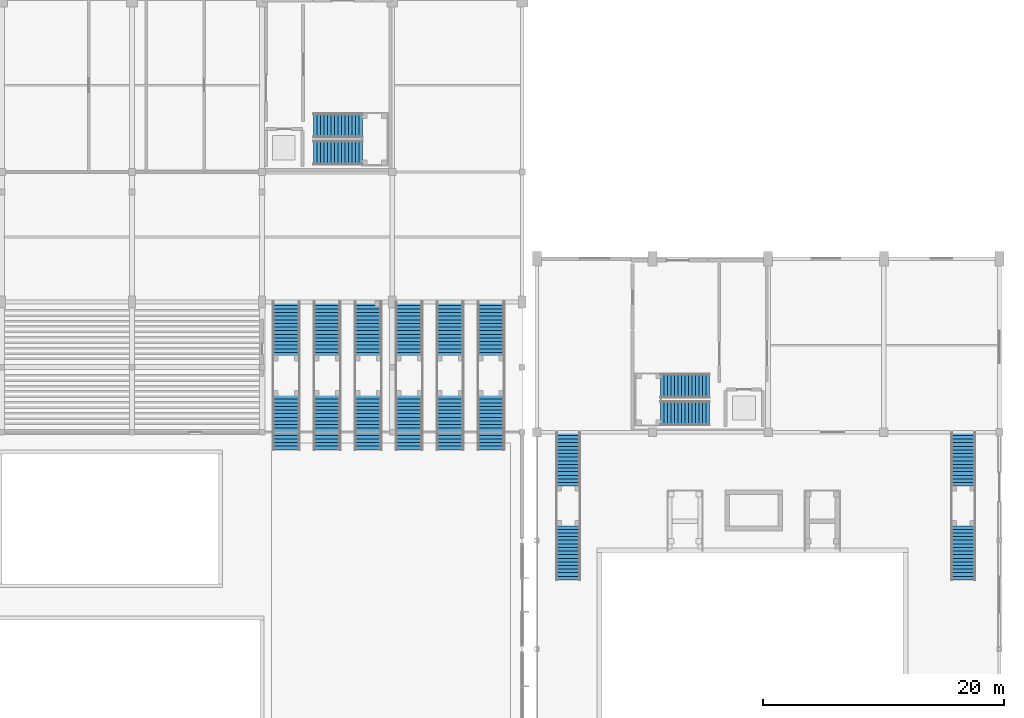
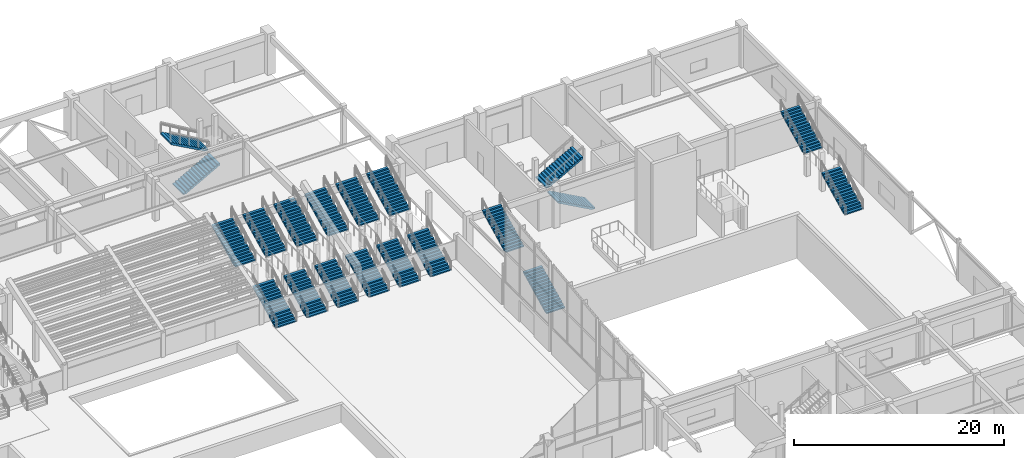
# One storey, part 62 of 82: 20 stair flights, 10 elements without a shape of their own.
"""IFC4 building model written with IfcOpenShell, lengths in metres."""

from ifc_helpers import new_model, si_unit, direction, frame, origin, place, context, subcontext, project, spatial, polyline, outline, extrude, material, type_object, element, aggregate, save


model = new_model("IFC4")

# Units and contexts
model_context = context("Model", 3, precision=1e-05, world=origin(), true_north=direction((0.0, 1.0)))
body_context = subcontext(model_context, "Body", "Model", "MODEL_VIEW")
ifc_project = project(units=[si_unit("LENGTHUNIT", "METRE"), si_unit("AREAUNIT", "SQUARE_METRE"), si_unit("VOLUMEUNIT", "CUBIC_METRE"), si_unit("PLANEANGLEUNIT", "RADIAN"), si_unit("MASSUNIT", "GRAM", prefix="KILO")], contexts=[model_context])

# Site, building, storey
site_placement = place(None, origin())
site = spatial("IfcSite", under=ifc_project, at=site_placement, CompositionType="ELEMENT")
building_placement = place(site_placement, origin())
building = spatial("IfcBuilding", under=site, at=building_placement, Name="Suirenkawa Promenade Aquatics Centre", CompositionType="ELEMENT")
storey_placement = place(building_placement, origin())
storey = spatial("IfcBuildingStorey", under=building, at=storey_placement, Name="L00", CompositionType="ELEMENT", Elevation=0.0)

# Stair, stair flights
ifc_material = material(Name="Concrete M40", Category="concrete")
stair_type_1 = type_object("IfcStairType", Name="STT-DIVE-2000", PredefinedType="STRAIGHT_RUN_STAIR", material=ifc_material)
stair_1_placement = place(storey_placement, origin())
stair_1 = element("IfcStair", 1, at=stair_1_placement, inside=storey, type_object=stair_type_1, Name="Grand assembly cascade stair STR-06 ST-34", PredefinedType="STRAIGHT_RUN_STAIR")
stair_flight_type_1 = type_object("IfcStairFlightType", Name="SFT-FLIGHT-2000", PredefinedType="STRAIGHT", material=ifc_material)
stair_flight_1_placement = place(storey_placement, frame((158.60009765625, 74.1298828125, 0.0), z_axis=(0.0, 0.0, 1.0), x_axis=(0.0, 1.0, 0.0)))
stair_flight_1 = element("IfcStairFlight", 2, at=stair_flight_1_placement, type_object=stair_flight_type_1, Name="Cascade flight SFL-05 FL-067", NumberOfRisers=16, NumberOfTreads=15, PredefinedType="STRAIGHT", RiserHeight=0.15, TreadLength=0.3, context=body_context, shape_type="SweptSolid", body=[
    extrude(outline(polyline([(0.0, 0.0), (0.0, 0.14990234375), (0.300048828125, 0.14990234375), (0.300048828125, 0.300048828125), (0.60009765625, 0.300048828125), (0.60009765625, 0.449951171875), (0.89990234375, 0.449951171875), (0.89990234375, 0.60009765625), (1.199951171875, 0.60009765625), (1.199951171875, 0.75), (1.5, 0.75), (1.5, 0.89990234375), (1.800048828125, 0.89990234375), (1.800048828125, 1.050048828125), (2.10009765625, 1.050048828125), (2.10009765625, 1.199951171875), (2.39990234375, 1.199951171875), (2.39990234375, 1.35009765625), (2.699951171875, 1.35009765625), (2.699951171875, 1.5), (3.0, 1.5), (3.0, 1.64990234375), (3.300048828125, 1.64990234375), (3.300048828125, 1.800048828125), (3.60009765625, 1.800048828125), (3.60009765625, 1.949951171875), (3.89990234375, 1.949951171875), (3.89990234375, 2.10009765625), (4.199951171875, 2.10009765625), (4.199951171875, 2.25), (4.5, 2.25), (4.5, 2.39990234375), (4.5, 2.06005859375), (0.3798828125, 0.0), (0.0, 0.0)])), frame((0.0, 1.010009765625, 0.0), z_axis=(0.0, -1.0, 0.0), x_axis=(1.0, 0.0, 0.0)), (0.0, 0.0, 1.0), 2.02001953125),
])
stair_flight_2_placement = place(storey_placement, frame((158.60009765625, 81.919921875, 2.39990234375), z_axis=(0.0, 0.0, 1.0), x_axis=(0.0, 1.0, 0.0)))
stair_flight_2 = element("IfcStairFlight", 3, at=stair_flight_2_placement, type_object=stair_flight_type_1, Name="Cascade flight SFL-05 FL-068", NumberOfRisers=16, NumberOfTreads=15, PredefinedType="STRAIGHT", RiserHeight=0.15, TreadLength=0.3, context=body_context, shape_type="SweptSolid", body=[
    extrude(outline(polyline([(0.0, 0.0), (0.0, 0.14990234375), (0.300048828125, 0.14990234375), (0.300048828125, 0.300048828125), (0.60009765625, 0.300048828125), (0.60009765625, 0.449951171875), (0.89990234375, 0.449951171875), (0.89990234375, 0.60009765625), (1.199951171875, 0.60009765625), (1.199951171875, 0.75), (1.5, 0.75), (1.5, 0.89990234375), (1.800048828125, 0.89990234375), (1.800048828125, 1.050048828125), (2.10009765625, 1.050048828125), (2.10009765625, 1.199951171875), (2.39990234375, 1.199951171875), (2.39990234375, 1.35009765625), (2.699951171875, 1.35009765625), (2.699951171875, 1.5), (3.0, 1.5), (3.0, 1.64990234375), (3.300048828125, 1.64990234375), (3.300048828125, 1.800048828125), (3.60009765625, 1.800048828125), (3.60009765625, 1.949951171875), (3.89990234375, 1.949951171875), (3.89990234375, 2.10009765625), (4.199951171875, 2.10009765625), (4.199951171875, 2.25), (4.5, 2.25), (4.5, 2.39990234375), (4.5, 2.06005859375), (0.3798828125, 0.0), (0.0, 0.0)])), frame((0.0, 1.010009765625, 0.0), z_axis=(0.0, -1.0, 0.0), x_axis=(1.0, 0.0, 0.0)), (0.0, 0.0, 1.0), 2.02001953125),
])
aggregate(stair_1, [stair_flight_1, stair_flight_2])

stair_2_placement = place(storey_placement, origin())
stair_2 = element("IfcStair", 4, at=stair_2_placement, inside=storey, type_object=stair_type_1, Name="Grand assembly cascade stair STR-06 ST-35", PredefinedType="STRAIGHT_RUN_STAIR")
stair_flight_3_placement = place(storey_placement, frame((191.39990234375, 74.1298828125, 0.0), z_axis=(0.0, 0.0, 1.0), x_axis=(0.0, 1.0, 0.0)))
stair_flight_3 = element("IfcStairFlight", 5, at=stair_flight_3_placement, type_object=stair_flight_type_1, Name="Cascade flight SFL-05 FL-069", NumberOfRisers=16, NumberOfTreads=15, PredefinedType="STRAIGHT", RiserHeight=0.15, TreadLength=0.3, context=body_context, shape_type="SweptSolid", body=[
    extrude(outline(polyline([(0.0, 0.0), (0.0, 0.14990234375), (0.300048828125, 0.14990234375), (0.300048828125, 0.300048828125), (0.60009765625, 0.300048828125), (0.60009765625, 0.449951171875), (0.89990234375, 0.449951171875), (0.89990234375, 0.60009765625), (1.199951171875, 0.60009765625), (1.199951171875, 0.75), (1.5, 0.75), (1.5, 0.89990234375), (1.800048828125, 0.89990234375), (1.800048828125, 1.050048828125), (2.10009765625, 1.050048828125), (2.10009765625, 1.199951171875), (2.39990234375, 1.199951171875), (2.39990234375, 1.35009765625), (2.699951171875, 1.35009765625), (2.699951171875, 1.5), (3.0, 1.5), (3.0, 1.64990234375), (3.300048828125, 1.64990234375), (3.300048828125, 1.800048828125), (3.60009765625, 1.800048828125), (3.60009765625, 1.949951171875), (3.89990234375, 1.949951171875), (3.89990234375, 2.10009765625), (4.199951171875, 2.10009765625), (4.199951171875, 2.25), (4.5, 2.25), (4.5, 2.39990234375), (4.5, 2.06005859375), (0.3798828125, 0.0), (0.0, 0.0)])), frame((0.0, 1.010009765625, 0.0), z_axis=(0.0, -1.0, 0.0), x_axis=(1.0, 0.0, 0.0)), (0.0, 0.0, 1.0), 2.02001953125),
])
stair_flight_4_placement = place(storey_placement, frame((191.39990234375, 81.919921875, 2.39990234375), z_axis=(0.0, 0.0, 1.0), x_axis=(0.0, 1.0, 0.0)))
stair_flight_4 = element("IfcStairFlight", 6, at=stair_flight_4_placement, type_object=stair_flight_type_1, Name="Cascade flight SFL-05 FL-070", NumberOfRisers=16, NumberOfTreads=15, PredefinedType="STRAIGHT", RiserHeight=0.15, TreadLength=0.3, context=body_context, shape_type="SweptSolid", body=[
    extrude(outline(polyline([(0.0, 0.0), (0.0, 0.14990234375), (0.300048828125, 0.14990234375), (0.300048828125, 0.300048828125), (0.60009765625, 0.300048828125), (0.60009765625, 0.449951171875), (0.89990234375, 0.449951171875), (0.89990234375, 0.60009765625), (1.199951171875, 0.60009765625), (1.199951171875, 0.75), (1.5, 0.75), (1.5, 0.89990234375), (1.800048828125, 0.89990234375), (1.800048828125, 1.050048828125), (2.10009765625, 1.050048828125), (2.10009765625, 1.199951171875), (2.39990234375, 1.199951171875), (2.39990234375, 1.35009765625), (2.699951171875, 1.35009765625), (2.699951171875, 1.5), (3.0, 1.5), (3.0, 1.64990234375), (3.300048828125, 1.64990234375), (3.300048828125, 1.800048828125), (3.60009765625, 1.800048828125), (3.60009765625, 1.949951171875), (3.89990234375, 1.949951171875), (3.89990234375, 2.10009765625), (4.199951171875, 2.10009765625), (4.199951171875, 2.25), (4.5, 2.25), (4.5, 2.39990234375), (4.5, 2.06005859375), (0.3798828125, 0.0), (0.0, 0.0)])), frame((0.0, 1.010009765625, 0.0), z_axis=(0.0, -1.0, 0.0), x_axis=(1.0, 0.0, 0.0)), (0.0, 0.0, 1.0), 2.02001953125),
])
aggregate(stair_2, [stair_flight_3, stair_flight_4])

stair_type_2 = type_object("IfcStairType", Name="STT-CORE-2100-480", PredefinedType="TWO_STRAIGHT_RUN_STAIR", material=ifc_material)
stair_3_placement = place(storey_placement, origin())
stair_3 = element("IfcStair", 7, at=stair_3_placement, inside=storey, type_object=stair_type_2, Name="Protected exit stair STR-01 ST-14", PredefinedType="TWO_STRAIGHT_RUN_STAIR")
stair_flight_type_2 = type_object("IfcStairFlightType", Name="SFT-FLIGHT-2100", PredefinedType="STRAIGHT", material=ifc_material)
stair_flight_5_placement = place(storey_placement, frame((137.485107421875, 109.580078125, 0.0), z_axis=(0.0, 0.0, 1.0), x_axis=(1.0, 0.0, 0.0)))
stair_flight_5 = element("IfcStairFlight", 8, at=stair_flight_5_placement, type_object=stair_flight_type_2, Name="Stair flight SFL-01 FL-027", NumberOfRisers=15, NumberOfTreads=14, PredefinedType="STRAIGHT", RiserHeight=0.16, TreadLength=0.29, context=body_context, shape_type="SweptSolid", body=[
    extrude(outline(polyline([(0.0, 0.0), (0.0, 0.159912109375), (0.2900390625, 0.159912109375), (0.2900390625, 0.320068359375), (0.580078125, 0.320068359375), (0.580078125, 0.47998046875), (0.8701171875, 0.47998046875), (0.8701171875, 0.639892578125), (1.159912109375, 0.639892578125), (1.159912109375, 0.800048828125), (1.449951171875, 0.800048828125), (1.449951171875, 0.9599609375), (1.739990234375, 0.9599609375), (1.739990234375, 1.1201171875), (2.030029296875, 1.1201171875), (2.030029296875, 1.280029296875), (2.320068359375, 1.280029296875), (2.320068359375, 1.43994140625), (2.610107421875, 1.43994140625), (2.610107421875, 1.60009765625), (2.89990234375, 1.60009765625), (2.89990234375, 1.760009765625), (3.18994140625, 1.760009765625), (3.18994140625, 1.919921875), (3.47998046875, 1.919921875), (3.47998046875, 2.080078125), (3.77001953125, 2.080078125), (3.77001953125, 2.239990234375), (4.06005859375, 2.239990234375), (4.06005859375, 2.39990234375), (4.06005859375, 2.0458984375), (0.351806640625, 0.0), (0.0, 0.0)])), frame((0.0, 1.010009765625, 0.0), z_axis=(0.0, -1.0, 0.0), x_axis=(1.0, 0.0, 0.0)), (0.0, 0.0, 1.0), 2.02001953125),
])
stair_flight_6_placement = place(storey_placement, frame((141.544921875, 111.85009765625, 2.39990234375), z_axis=(0.0, 0.0, 1.0), x_axis=(-1.0, 0.0, 0.0)))
stair_flight_6 = element("IfcStairFlight", 9, at=stair_flight_6_placement, type_object=stair_flight_type_2, Name="Stair flight SFL-01 FL-028", NumberOfRisers=15, NumberOfTreads=14, PredefinedType="STRAIGHT", RiserHeight=0.16, TreadLength=0.29, context=body_context, shape_type="SweptSolid", body=[
    extrude(outline(polyline([(0.0, 0.0), (0.0, 0.159912109375), (0.2900390625, 0.159912109375), (0.2900390625, 0.320068359375), (0.580078125, 0.320068359375), (0.580078125, 0.47998046875), (0.8701171875, 0.47998046875), (0.8701171875, 0.639892578125), (1.159912109375, 0.639892578125), (1.159912109375, 0.800048828125), (1.449951171875, 0.800048828125), (1.449951171875, 0.9599609375), (1.739990234375, 0.9599609375), (1.739990234375, 1.1201171875), (2.030029296875, 1.1201171875), (2.030029296875, 1.280029296875), (2.320068359375, 1.280029296875), (2.320068359375, 1.43994140625), (2.610107421875, 1.43994140625), (2.610107421875, 1.60009765625), (2.89990234375, 1.60009765625), (2.89990234375, 1.760009765625), (3.18994140625, 1.760009765625), (3.18994140625, 1.919921875), (3.47998046875, 1.919921875), (3.47998046875, 2.080078125), (3.77001953125, 2.080078125), (3.77001953125, 2.239990234375), (4.06005859375, 2.239990234375), (4.06005859375, 2.39990234375), (4.06005859375, 2.0458984375), (0.351806640625, 0.0), (0.0, 0.0)])), frame((0.0, 1.010009765625, 0.0), z_axis=(0.0, -1.0, 0.0), x_axis=(1.0, 0.0, 0.0)), (0.0, 0.0, 1.0), 2.02001953125),
])
aggregate(stair_3, [stair_flight_5, stair_flight_6])

stair_4_placement = place(storey_placement, origin())
stair_4 = element("IfcStair", 10, at=stair_4_placement, inside=storey, type_object=stair_type_2, Name="Protected exit stair STR-01 ST-16", PredefinedType="TWO_STRAIGHT_RUN_STAIR")
stair_flight_7_placement = place(storey_placement, frame((170.31494140625, 87.97998046875, 0.0), z_axis=(0.0, 0.0, 1.0), x_axis=(-1.0, 0.0, 0.0)))
stair_flight_7 = element("IfcStairFlight", 11, at=stair_flight_7_placement, type_object=stair_flight_type_2, Name="Stair flight SFL-01 FL-031", NumberOfRisers=15, NumberOfTreads=14, PredefinedType="STRAIGHT", RiserHeight=0.16, TreadLength=0.29, context=body_context, shape_type="SweptSolid", body=[
    extrude(outline(polyline([(0.0, 0.0), (0.0, 0.159912109375), (0.2900390625, 0.159912109375), (0.2900390625, 0.320068359375), (0.580078125, 0.320068359375), (0.580078125, 0.47998046875), (0.8701171875, 0.47998046875), (0.8701171875, 0.639892578125), (1.159912109375, 0.639892578125), (1.159912109375, 0.800048828125), (1.449951171875, 0.800048828125), (1.449951171875, 0.9599609375), (1.739990234375, 0.9599609375), (1.739990234375, 1.1201171875), (2.030029296875, 1.1201171875), (2.030029296875, 1.280029296875), (2.320068359375, 1.280029296875), (2.320068359375, 1.43994140625), (2.610107421875, 1.43994140625), (2.610107421875, 1.60009765625), (2.89990234375, 1.60009765625), (2.89990234375, 1.760009765625), (3.18994140625, 1.760009765625), (3.18994140625, 1.919921875), (3.47998046875, 1.919921875), (3.47998046875, 2.080078125), (3.77001953125, 2.080078125), (3.77001953125, 2.239990234375), (4.06005859375, 2.239990234375), (4.06005859375, 2.39990234375), (4.06005859375, 2.0458984375), (0.351806640625, 0.0), (0.0, 0.0)])), frame((0.0, 1.010009765625, 0.0), z_axis=(0.0, -1.0, 0.0), x_axis=(1.0, 0.0, 0.0)), (0.0, 0.0, 1.0), 2.02001953125),
])
stair_flight_8_placement = place(storey_placement, frame((166.2548828125, 90.25, 2.39990234375), z_axis=(0.0, 0.0, 1.0), x_axis=(1.0, 0.0, 0.0)))
stair_flight_8 = element("IfcStairFlight", 12, at=stair_flight_8_placement, type_object=stair_flight_type_2, Name="Stair flight SFL-01 FL-032", NumberOfRisers=15, NumberOfTreads=14, PredefinedType="STRAIGHT", RiserHeight=0.16, TreadLength=0.29, context=body_context, shape_type="SweptSolid", body=[
    extrude(outline(polyline([(0.0, 0.0), (0.0, 0.159912109375), (0.2900390625, 0.159912109375), (0.2900390625, 0.320068359375), (0.580078125, 0.320068359375), (0.580078125, 0.47998046875), (0.8701171875, 0.47998046875), (0.8701171875, 0.639892578125), (1.159912109375, 0.639892578125), (1.159912109375, 0.800048828125), (1.449951171875, 0.800048828125), (1.449951171875, 0.9599609375), (1.739990234375, 0.9599609375), (1.739990234375, 1.1201171875), (2.030029296875, 1.1201171875), (2.030029296875, 1.280029296875), (2.320068359375, 1.280029296875), (2.320068359375, 1.43994140625), (2.610107421875, 1.43994140625), (2.610107421875, 1.60009765625), (2.89990234375, 1.60009765625), (2.89990234375, 1.760009765625), (3.18994140625, 1.760009765625), (3.18994140625, 1.919921875), (3.47998046875, 1.919921875), (3.47998046875, 2.080078125), (3.77001953125, 2.080078125), (3.77001953125, 2.239990234375), (4.06005859375, 2.239990234375), (4.06005859375, 2.39990234375), (4.06005859375, 2.0458984375), (0.351806640625, 0.0), (0.0, 0.0)])), frame((0.0, 1.010009765625, 0.0), z_axis=(0.0, -1.0, 0.0), x_axis=(1.0, 0.0, 0.0)), (0.0, 0.0, 1.0), 2.02001953125),
])
aggregate(stair_4, [stair_flight_7, stair_flight_8])

stair_type_3 = type_object("IfcStairType", Name="STT-CASCADE-3200", PredefinedType="STRAIGHT_RUN_STAIR", material=ifc_material)
stair_5_placement = place(storey_placement, origin())
stair_5 = element("IfcStair", 13, at=stair_5_placement, inside=storey, type_object=stair_type_3, Name="Grand assembly cascade stair STR-04 ST-26", PredefinedType="STRAIGHT_RUN_STAIR")
stair_flight_type_3 = type_object("IfcStairFlightType", Name="SFT-FLIGHT-3200", PredefinedType="STRAIGHT", material=ifc_material)
stair_flight_9_placement = place(storey_placement, frame((135.199951171875, 84.929931640625, 0.0), z_axis=(0.0, 0.0, 1.0), x_axis=(0.0, 1.0, 0.0)))
stair_flight_9 = element("IfcStairFlight", 14, at=stair_flight_9_placement, type_object=stair_flight_type_3, Name="Cascade flight SFL-03 FL-051", NumberOfRisers=16, NumberOfTreads=15, PredefinedType="STRAIGHT", RiserHeight=0.15, TreadLength=0.3, context=body_context, shape_type="SweptSolid", body=[
    extrude(outline(polyline([(0.0, 0.0), (0.0, 0.14990234375), (0.300048828125, 0.14990234375), (0.300048828125, 0.300048828125), (0.60009765625, 0.300048828125), (0.60009765625, 0.449951171875), (0.89990234375, 0.449951171875), (0.89990234375, 0.60009765625), (1.199951171875, 0.60009765625), (1.199951171875, 0.75), (1.5, 0.75), (1.5, 0.89990234375), (1.800048828125, 0.89990234375), (1.800048828125, 1.050048828125), (2.10009765625, 1.050048828125), (2.10009765625, 1.199951171875), (2.39990234375, 1.199951171875), (2.39990234375, 1.35009765625), (2.699951171875, 1.35009765625), (2.699951171875, 1.5), (3.0, 1.5), (3.0, 1.64990234375), (3.300048828125, 1.64990234375), (3.300048828125, 1.800048828125), (3.60009765625, 1.800048828125), (3.60009765625, 1.949951171875), (3.89990234375, 1.949951171875), (3.89990234375, 2.10009765625), (4.199951171875, 2.10009765625), (4.199951171875, 2.25), (4.5, 2.25), (4.5, 2.39990234375), (4.5, 2.06005859375), (0.3798828125, 0.0), (0.0, 0.0)])), frame((0.0, 1.125, 0.0), z_axis=(0.0, -1.0, 0.0), x_axis=(1.0, 0.0, 0.0)), (0.0, 0.0, 1.0), 2.25),
])
stair_flight_10_placement = place(storey_placement, frame((135.199951171875, 92.719970703125, 2.39990234375), z_axis=(0.0, 0.0, 1.0), x_axis=(0.0, 1.0, 0.0)))
stair_flight_10 = element("IfcStairFlight", 15, at=stair_flight_10_placement, type_object=stair_flight_type_3, Name="Cascade flight SFL-03 FL-052", NumberOfRisers=16, NumberOfTreads=15, PredefinedType="STRAIGHT", RiserHeight=0.15, TreadLength=0.3, context=body_context, shape_type="SweptSolid", body=[
    extrude(outline(polyline([(0.0, 0.0), (0.0, 0.14990234375), (0.300048828125, 0.14990234375), (0.300048828125, 0.300048828125), (0.60009765625, 0.300048828125), (0.60009765625, 0.449951171875), (0.89990234375, 0.449951171875), (0.89990234375, 0.60009765625), (1.199951171875, 0.60009765625), (1.199951171875, 0.75), (1.5, 0.75), (1.5, 0.89990234375), (1.800048828125, 0.89990234375), (1.800048828125, 1.050048828125), (2.10009765625, 1.050048828125), (2.10009765625, 1.199951171875), (2.39990234375, 1.199951171875), (2.39990234375, 1.35009765625), (2.699951171875, 1.35009765625), (2.699951171875, 1.5), (3.0, 1.5), (3.0, 1.64990234375), (3.300048828125, 1.64990234375), (3.300048828125, 1.800048828125), (3.60009765625, 1.800048828125), (3.60009765625, 1.949951171875), (3.89990234375, 1.949951171875), (3.89990234375, 2.10009765625), (4.199951171875, 2.10009765625), (4.199951171875, 2.25), (4.5, 2.25), (4.5, 2.39990234375), (4.5, 2.06005859375), (0.3798828125, 0.0), (0.0, 0.0)])), frame((0.0, 1.125, 0.0), z_axis=(0.0, -1.0, 0.0), x_axis=(1.0, 0.0, 0.0)), (0.0, 0.0, 1.0), 2.25),
])
aggregate(stair_5, [stair_flight_9, stair_flight_10])

stair_6_placement = place(storey_placement, origin())
stair_6 = element("IfcStair", 16, at=stair_6_placement, inside=storey, type_object=stair_type_3, Name="Grand assembly cascade stair STR-04 ST-27", PredefinedType="STRAIGHT_RUN_STAIR")
stair_flight_11_placement = place(storey_placement, frame((138.60009765625, 84.929931640625, 0.0), z_axis=(0.0, 0.0, 1.0), x_axis=(0.0, 1.0, 0.0)))
stair_flight_11 = element("IfcStairFlight", 17, at=stair_flight_11_placement, type_object=stair_flight_type_3, Name="Cascade flight SFL-03 FL-053", NumberOfRisers=16, NumberOfTreads=15, PredefinedType="STRAIGHT", RiserHeight=0.15, TreadLength=0.3, context=body_context, shape_type="SweptSolid", body=[
    extrude(outline(polyline([(0.0, 0.0), (0.0, 0.14990234375), (0.300048828125, 0.14990234375), (0.300048828125, 0.300048828125), (0.60009765625, 0.300048828125), (0.60009765625, 0.449951171875), (0.89990234375, 0.449951171875), (0.89990234375, 0.60009765625), (1.199951171875, 0.60009765625), (1.199951171875, 0.75), (1.5, 0.75), (1.5, 0.89990234375), (1.800048828125, 0.89990234375), (1.800048828125, 1.050048828125), (2.10009765625, 1.050048828125), (2.10009765625, 1.199951171875), (2.39990234375, 1.199951171875), (2.39990234375, 1.35009765625), (2.699951171875, 1.35009765625), (2.699951171875, 1.5), (3.0, 1.5), (3.0, 1.64990234375), (3.300048828125, 1.64990234375), (3.300048828125, 1.800048828125), (3.60009765625, 1.800048828125), (3.60009765625, 1.949951171875), (3.89990234375, 1.949951171875), (3.89990234375, 2.10009765625), (4.199951171875, 2.10009765625), (4.199951171875, 2.25), (4.5, 2.25), (4.5, 2.39990234375), (4.5, 2.06005859375), (0.3798828125, 0.0), (0.0, 0.0)])), frame((0.0, 1.125, 0.0), z_axis=(0.0, -1.0, 0.0), x_axis=(1.0, 0.0, 0.0)), (0.0, 0.0, 1.0), 2.25),
])
stair_flight_12_placement = place(storey_placement, frame((138.60009765625, 92.719970703125, 2.39990234375), z_axis=(0.0, 0.0, 1.0), x_axis=(0.0, 1.0, 0.0)))
stair_flight_12 = element("IfcStairFlight", 18, at=stair_flight_12_placement, type_object=stair_flight_type_3, Name="Cascade flight SFL-03 FL-054", NumberOfRisers=16, NumberOfTreads=15, PredefinedType="STRAIGHT", RiserHeight=0.15, TreadLength=0.3, context=body_context, shape_type="SweptSolid", body=[
    extrude(outline(polyline([(0.0, 0.0), (0.0, 0.14990234375), (0.300048828125, 0.14990234375), (0.300048828125, 0.300048828125), (0.60009765625, 0.300048828125), (0.60009765625, 0.449951171875), (0.89990234375, 0.449951171875), (0.89990234375, 0.60009765625), (1.199951171875, 0.60009765625), (1.199951171875, 0.75), (1.5, 0.75), (1.5, 0.89990234375), (1.800048828125, 0.89990234375), (1.800048828125, 1.050048828125), (2.10009765625, 1.050048828125), (2.10009765625, 1.199951171875), (2.39990234375, 1.199951171875), (2.39990234375, 1.35009765625), (2.699951171875, 1.35009765625), (2.699951171875, 1.5), (3.0, 1.5), (3.0, 1.64990234375), (3.300048828125, 1.64990234375), (3.300048828125, 1.800048828125), (3.60009765625, 1.800048828125), (3.60009765625, 1.949951171875), (3.89990234375, 1.949951171875), (3.89990234375, 2.10009765625), (4.199951171875, 2.10009765625), (4.199951171875, 2.25), (4.5, 2.25), (4.5, 2.39990234375), (4.5, 2.06005859375), (0.3798828125, 0.0), (0.0, 0.0)])), frame((0.0, 1.125, 0.0), z_axis=(0.0, -1.0, 0.0), x_axis=(1.0, 0.0, 0.0)), (0.0, 0.0, 1.0), 2.25),
])
aggregate(stair_6, [stair_flight_11, stair_flight_12])

stair_7_placement = place(storey_placement, origin())
stair_7 = element("IfcStair", 19, at=stair_7_placement, inside=storey, type_object=stair_type_3, Name="Grand assembly cascade stair STR-04 ST-28", PredefinedType="STRAIGHT_RUN_STAIR")
stair_flight_13_placement = place(storey_placement, frame((142.0, 84.929931640625, 0.0), z_axis=(0.0, 0.0, 1.0), x_axis=(0.0, 1.0, 0.0)))
stair_flight_13 = element("IfcStairFlight", 20, at=stair_flight_13_placement, type_object=stair_flight_type_3, Name="Cascade flight SFL-03 FL-055", NumberOfRisers=16, NumberOfTreads=15, PredefinedType="STRAIGHT", RiserHeight=0.15, TreadLength=0.3, context=body_context, shape_type="SweptSolid", body=[
    extrude(outline(polyline([(0.0, 0.0), (0.0, 0.14990234375), (0.300048828125, 0.14990234375), (0.300048828125, 0.300048828125), (0.60009765625, 0.300048828125), (0.60009765625, 0.449951171875), (0.89990234375, 0.449951171875), (0.89990234375, 0.60009765625), (1.199951171875, 0.60009765625), (1.199951171875, 0.75), (1.5, 0.75), (1.5, 0.89990234375), (1.800048828125, 0.89990234375), (1.800048828125, 1.050048828125), (2.10009765625, 1.050048828125), (2.10009765625, 1.199951171875), (2.39990234375, 1.199951171875), (2.39990234375, 1.35009765625), (2.699951171875, 1.35009765625), (2.699951171875, 1.5), (3.0, 1.5), (3.0, 1.64990234375), (3.300048828125, 1.64990234375), (3.300048828125, 1.800048828125), (3.60009765625, 1.800048828125), (3.60009765625, 1.949951171875), (3.89990234375, 1.949951171875), (3.89990234375, 2.10009765625), (4.199951171875, 2.10009765625), (4.199951171875, 2.25), (4.5, 2.25), (4.5, 2.39990234375), (4.5, 2.06005859375), (0.3798828125, 0.0), (0.0, 0.0)])), frame((0.0, 1.125, 0.0), z_axis=(0.0, -1.0, 0.0), x_axis=(1.0, 0.0, 0.0)), (0.0, 0.0, 1.0), 2.25),
])
stair_flight_14_placement = place(storey_placement, frame((142.0, 92.719970703125, 2.39990234375), z_axis=(0.0, 0.0, 1.0), x_axis=(0.0, 1.0, 0.0)))
stair_flight_14 = element("IfcStairFlight", 21, at=stair_flight_14_placement, type_object=stair_flight_type_3, Name="Cascade flight SFL-03 FL-056", NumberOfRisers=16, NumberOfTreads=15, PredefinedType="STRAIGHT", RiserHeight=0.15, TreadLength=0.3, context=body_context, shape_type="SweptSolid", body=[
    extrude(outline(polyline([(0.0, 0.0), (0.0, 0.14990234375), (0.300048828125, 0.14990234375), (0.300048828125, 0.300048828125), (0.60009765625, 0.300048828125), (0.60009765625, 0.449951171875), (0.89990234375, 0.449951171875), (0.89990234375, 0.60009765625), (1.199951171875, 0.60009765625), (1.199951171875, 0.75), (1.5, 0.75), (1.5, 0.89990234375), (1.800048828125, 0.89990234375), (1.800048828125, 1.050048828125), (2.10009765625, 1.050048828125), (2.10009765625, 1.199951171875), (2.39990234375, 1.199951171875), (2.39990234375, 1.35009765625), (2.699951171875, 1.35009765625), (2.699951171875, 1.5), (3.0, 1.5), (3.0, 1.64990234375), (3.300048828125, 1.64990234375), (3.300048828125, 1.800048828125), (3.60009765625, 1.800048828125), (3.60009765625, 1.949951171875), (3.89990234375, 1.949951171875), (3.89990234375, 2.10009765625), (4.199951171875, 2.10009765625), (4.199951171875, 2.25), (4.5, 2.25), (4.5, 2.39990234375), (4.5, 2.06005859375), (0.3798828125, 0.0), (0.0, 0.0)])), frame((0.0, 1.125, 0.0), z_axis=(0.0, -1.0, 0.0), x_axis=(1.0, 0.0, 0.0)), (0.0, 0.0, 1.0), 2.25),
])
aggregate(stair_7, [stair_flight_13, stair_flight_14])

stair_8_placement = place(storey_placement, origin())
stair_8 = element("IfcStair", 22, at=stair_8_placement, inside=storey, type_object=stair_type_3, Name="Grand assembly cascade stair STR-04 ST-29", PredefinedType="STRAIGHT_RUN_STAIR")
stair_flight_15_placement = place(storey_placement, frame((145.39990234375, 84.929931640625, 0.0), z_axis=(0.0, 0.0, 1.0), x_axis=(0.0, 1.0, 0.0)))
stair_flight_15 = element("IfcStairFlight", 23, at=stair_flight_15_placement, type_object=stair_flight_type_3, Name="Cascade flight SFL-03 FL-057", NumberOfRisers=16, NumberOfTreads=15, PredefinedType="STRAIGHT", RiserHeight=0.15, TreadLength=0.3, context=body_context, shape_type="SweptSolid", body=[
    extrude(outline(polyline([(0.0, 0.0), (0.0, 0.14990234375), (0.300048828125, 0.14990234375), (0.300048828125, 0.300048828125), (0.60009765625, 0.300048828125), (0.60009765625, 0.449951171875), (0.89990234375, 0.449951171875), (0.89990234375, 0.60009765625), (1.199951171875, 0.60009765625), (1.199951171875, 0.75), (1.5, 0.75), (1.5, 0.89990234375), (1.800048828125, 0.89990234375), (1.800048828125, 1.050048828125), (2.10009765625, 1.050048828125), (2.10009765625, 1.199951171875), (2.39990234375, 1.199951171875), (2.39990234375, 1.35009765625), (2.699951171875, 1.35009765625), (2.699951171875, 1.5), (3.0, 1.5), (3.0, 1.64990234375), (3.300048828125, 1.64990234375), (3.300048828125, 1.800048828125), (3.60009765625, 1.800048828125), (3.60009765625, 1.949951171875), (3.89990234375, 1.949951171875), (3.89990234375, 2.10009765625), (4.199951171875, 2.10009765625), (4.199951171875, 2.25), (4.5, 2.25), (4.5, 2.39990234375), (4.5, 2.06005859375), (0.3798828125, 0.0), (0.0, 0.0)])), frame((0.0, 1.125, 0.0), z_axis=(0.0, -1.0, 0.0), x_axis=(1.0, 0.0, 0.0)), (0.0, 0.0, 1.0), 2.25),
])
stair_flight_16_placement = place(storey_placement, frame((145.39990234375, 92.719970703125, 2.39990234375), z_axis=(0.0, 0.0, 1.0), x_axis=(0.0, 1.0, 0.0)))
stair_flight_16 = element("IfcStairFlight", 24, at=stair_flight_16_placement, type_object=stair_flight_type_3, Name="Cascade flight SFL-03 FL-058", NumberOfRisers=16, NumberOfTreads=15, PredefinedType="STRAIGHT", RiserHeight=0.15, TreadLength=0.3, context=body_context, shape_type="SweptSolid", body=[
    extrude(outline(polyline([(0.0, 0.0), (0.0, 0.14990234375), (0.300048828125, 0.14990234375), (0.300048828125, 0.300048828125), (0.60009765625, 0.300048828125), (0.60009765625, 0.449951171875), (0.89990234375, 0.449951171875), (0.89990234375, 0.60009765625), (1.199951171875, 0.60009765625), (1.199951171875, 0.75), (1.5, 0.75), (1.5, 0.89990234375), (1.800048828125, 0.89990234375), (1.800048828125, 1.050048828125), (2.10009765625, 1.050048828125), (2.10009765625, 1.199951171875), (2.39990234375, 1.199951171875), (2.39990234375, 1.35009765625), (2.699951171875, 1.35009765625), (2.699951171875, 1.5), (3.0, 1.5), (3.0, 1.64990234375), (3.300048828125, 1.64990234375), (3.300048828125, 1.800048828125), (3.60009765625, 1.800048828125), (3.60009765625, 1.949951171875), (3.89990234375, 1.949951171875), (3.89990234375, 2.10009765625), (4.199951171875, 2.10009765625), (4.199951171875, 2.25), (4.5, 2.25), (4.5, 2.39990234375), (4.5, 2.06005859375), (0.3798828125, 0.0), (0.0, 0.0)])), frame((0.0, 1.125, 0.0), z_axis=(0.0, -1.0, 0.0), x_axis=(1.0, 0.0, 0.0)), (0.0, 0.0, 1.0), 2.25),
])
aggregate(stair_8, [stair_flight_15, stair_flight_16])

stair_9_placement = place(storey_placement, origin())
stair_9 = element("IfcStair", 25, at=stair_9_placement, inside=storey, type_object=stair_type_3, Name="Grand assembly cascade stair STR-04 ST-30", PredefinedType="STRAIGHT_RUN_STAIR")
stair_flight_17_placement = place(storey_placement, frame((148.800048828125, 84.929931640625, 0.0), z_axis=(0.0, 0.0, 1.0), x_axis=(0.0, 1.0, 0.0)))
stair_flight_17 = element("IfcStairFlight", 26, at=stair_flight_17_placement, type_object=stair_flight_type_3, Name="Cascade flight SFL-03 FL-059", NumberOfRisers=16, NumberOfTreads=15, PredefinedType="STRAIGHT", RiserHeight=0.15, TreadLength=0.3, context=body_context, shape_type="SweptSolid", body=[
    extrude(outline(polyline([(0.0, 0.0), (0.0, 0.14990234375), (0.300048828125, 0.14990234375), (0.300048828125, 0.300048828125), (0.60009765625, 0.300048828125), (0.60009765625, 0.449951171875), (0.89990234375, 0.449951171875), (0.89990234375, 0.60009765625), (1.199951171875, 0.60009765625), (1.199951171875, 0.75), (1.5, 0.75), (1.5, 0.89990234375), (1.800048828125, 0.89990234375), (1.800048828125, 1.050048828125), (2.10009765625, 1.050048828125), (2.10009765625, 1.199951171875), (2.39990234375, 1.199951171875), (2.39990234375, 1.35009765625), (2.699951171875, 1.35009765625), (2.699951171875, 1.5), (3.0, 1.5), (3.0, 1.64990234375), (3.300048828125, 1.64990234375), (3.300048828125, 1.800048828125), (3.60009765625, 1.800048828125), (3.60009765625, 1.949951171875), (3.89990234375, 1.949951171875), (3.89990234375, 2.10009765625), (4.199951171875, 2.10009765625), (4.199951171875, 2.25), (4.5, 2.25), (4.5, 2.39990234375), (4.5, 2.06005859375), (0.3798828125, 0.0), (0.0, 0.0)])), frame((0.0, 1.125, 0.0), z_axis=(0.0, -1.0, 0.0), x_axis=(1.0, 0.0, 0.0)), (0.0, 0.0, 1.0), 2.25),
])
stair_flight_18_placement = place(storey_placement, frame((148.800048828125, 92.719970703125, 2.39990234375), z_axis=(0.0, 0.0, 1.0), x_axis=(0.0, 1.0, 0.0)))
stair_flight_18 = element("IfcStairFlight", 27, at=stair_flight_18_placement, type_object=stair_flight_type_3, Name="Cascade flight SFL-03 FL-060", NumberOfRisers=16, NumberOfTreads=15, PredefinedType="STRAIGHT", RiserHeight=0.15, TreadLength=0.3, context=body_context, shape_type="SweptSolid", body=[
    extrude(outline(polyline([(0.0, 0.0), (0.0, 0.14990234375), (0.300048828125, 0.14990234375), (0.300048828125, 0.300048828125), (0.60009765625, 0.300048828125), (0.60009765625, 0.449951171875), (0.89990234375, 0.449951171875), (0.89990234375, 0.60009765625), (1.199951171875, 0.60009765625), (1.199951171875, 0.75), (1.5, 0.75), (1.5, 0.89990234375), (1.800048828125, 0.89990234375), (1.800048828125, 1.050048828125), (2.10009765625, 1.050048828125), (2.10009765625, 1.199951171875), (2.39990234375, 1.199951171875), (2.39990234375, 1.35009765625), (2.699951171875, 1.35009765625), (2.699951171875, 1.5), (3.0, 1.5), (3.0, 1.64990234375), (3.300048828125, 1.64990234375), (3.300048828125, 1.800048828125), (3.60009765625, 1.800048828125), (3.60009765625, 1.949951171875), (3.89990234375, 1.949951171875), (3.89990234375, 2.10009765625), (4.199951171875, 2.10009765625), (4.199951171875, 2.25), (4.5, 2.25), (4.5, 2.39990234375), (4.5, 2.06005859375), (0.3798828125, 0.0), (0.0, 0.0)])), frame((0.0, 1.125, 0.0), z_axis=(0.0, -1.0, 0.0), x_axis=(1.0, 0.0, 0.0)), (0.0, 0.0, 1.0), 2.25),
])
aggregate(stair_9, [stair_flight_17, stair_flight_18])

stair_10_placement = place(storey_placement, origin())
stair_10 = element("IfcStair", 28, at=stair_10_placement, inside=storey, type_object=stair_type_3, Name="Grand assembly cascade stair STR-04 ST-31", PredefinedType="STRAIGHT_RUN_STAIR")
stair_flight_19_placement = place(storey_placement, frame((152.199951171875, 84.929931640625, 0.0), z_axis=(0.0, 0.0, 1.0), x_axis=(0.0, 1.0, 0.0)))
stair_flight_19 = element("IfcStairFlight", 29, at=stair_flight_19_placement, type_object=stair_flight_type_3, Name="Cascade flight SFL-03 FL-061", NumberOfRisers=16, NumberOfTreads=15, PredefinedType="STRAIGHT", RiserHeight=0.15, TreadLength=0.3, context=body_context, shape_type="SweptSolid", body=[
    extrude(outline(polyline([(0.0, 0.0), (0.0, 0.14990234375), (0.300048828125, 0.14990234375), (0.300048828125, 0.300048828125), (0.60009765625, 0.300048828125), (0.60009765625, 0.449951171875), (0.89990234375, 0.449951171875), (0.89990234375, 0.60009765625), (1.199951171875, 0.60009765625), (1.199951171875, 0.75), (1.5, 0.75), (1.5, 0.89990234375), (1.800048828125, 0.89990234375), (1.800048828125, 1.050048828125), (2.10009765625, 1.050048828125), (2.10009765625, 1.199951171875), (2.39990234375, 1.199951171875), (2.39990234375, 1.35009765625), (2.699951171875, 1.35009765625), (2.699951171875, 1.5), (3.0, 1.5), (3.0, 1.64990234375), (3.300048828125, 1.64990234375), (3.300048828125, 1.800048828125), (3.60009765625, 1.800048828125), (3.60009765625, 1.949951171875), (3.89990234375, 1.949951171875), (3.89990234375, 2.10009765625), (4.199951171875, 2.10009765625), (4.199951171875, 2.25), (4.5, 2.25), (4.5, 2.39990234375), (4.5, 2.06005859375), (0.3798828125, 0.0), (0.0, 0.0)])), frame((0.0, 1.125, 0.0), z_axis=(0.0, -1.0, 0.0), x_axis=(1.0, 0.0, 0.0)), (0.0, 0.0, 1.0), 2.25),
])
stair_flight_20_placement = place(storey_placement, frame((152.199951171875, 92.719970703125, 2.39990234375), z_axis=(0.0, 0.0, 1.0), x_axis=(0.0, 1.0, 0.0)))
stair_flight_20 = element("IfcStairFlight", 30, at=stair_flight_20_placement, type_object=stair_flight_type_3, Name="Cascade flight SFL-03 FL-062", NumberOfRisers=16, NumberOfTreads=15, PredefinedType="STRAIGHT", RiserHeight=0.15, TreadLength=0.3, context=body_context, shape_type="SweptSolid", body=[
    extrude(outline(polyline([(0.0, 0.0), (0.0, 0.14990234375), (0.300048828125, 0.14990234375), (0.300048828125, 0.300048828125), (0.60009765625, 0.300048828125), (0.60009765625, 0.449951171875), (0.89990234375, 0.449951171875), (0.89990234375, 0.60009765625), (1.199951171875, 0.60009765625), (1.199951171875, 0.75), (1.5, 0.75), (1.5, 0.89990234375), (1.800048828125, 0.89990234375), (1.800048828125, 1.050048828125), (2.10009765625, 1.050048828125), (2.10009765625, 1.199951171875), (2.39990234375, 1.199951171875), (2.39990234375, 1.35009765625), (2.699951171875, 1.35009765625), (2.699951171875, 1.5), (3.0, 1.5), (3.0, 1.64990234375), (3.300048828125, 1.64990234375), (3.300048828125, 1.800048828125), (3.60009765625, 1.800048828125), (3.60009765625, 1.949951171875), (3.89990234375, 1.949951171875), (3.89990234375, 2.10009765625), (4.199951171875, 2.10009765625), (4.199951171875, 2.25), (4.5, 2.25), (4.5, 2.39990234375), (4.5, 2.06005859375), (0.3798828125, 0.0), (0.0, 0.0)])), frame((0.0, 1.125, 0.0), z_axis=(0.0, -1.0, 0.0), x_axis=(1.0, 0.0, 0.0)), (0.0, 0.0, 1.0), 2.25),
])
aggregate(stair_10, [stair_flight_19, stair_flight_20])

save(model, "model.ifc")
